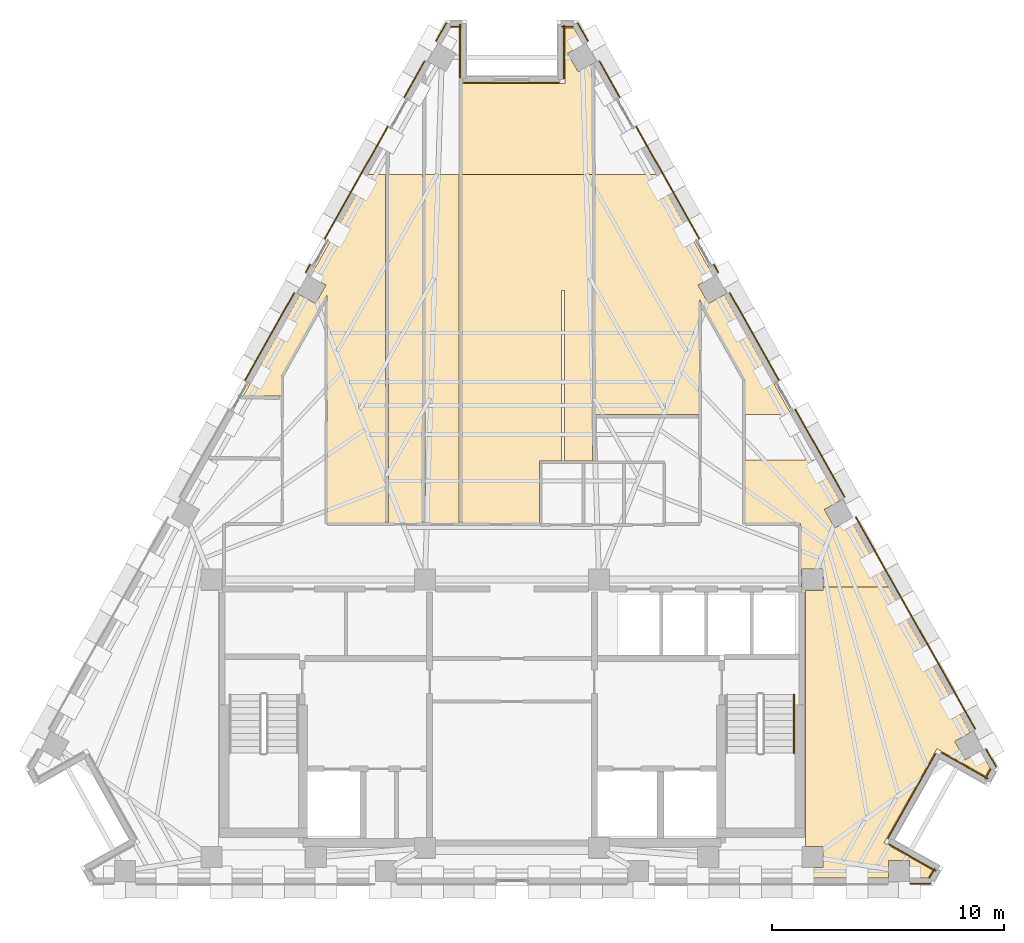
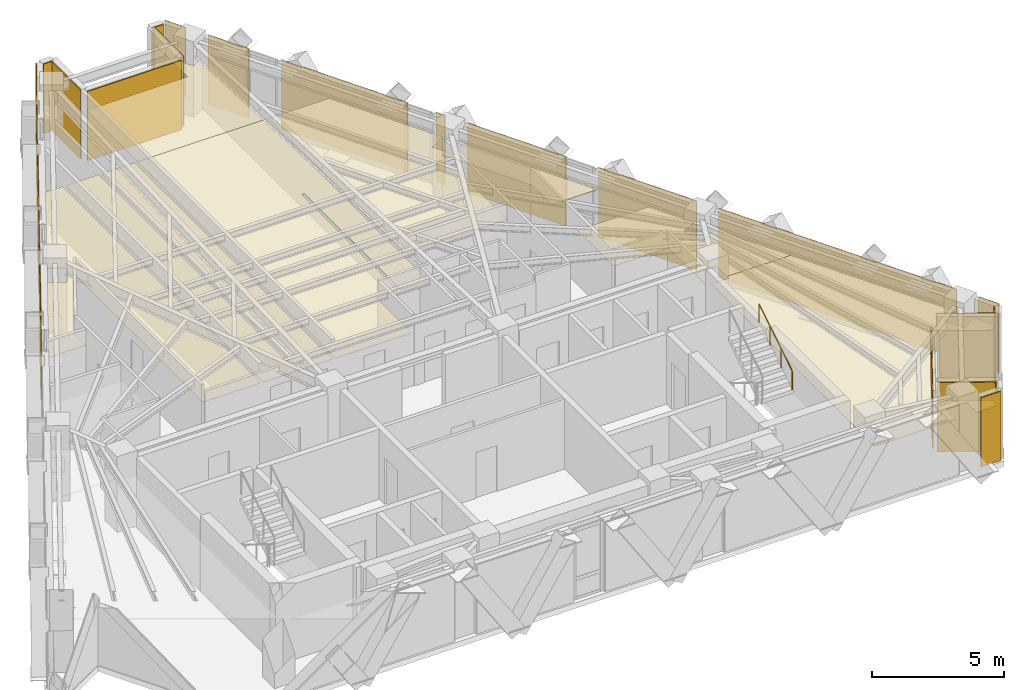
# One storey, part 12 of 12: 32 coverings, 1 railing.
"""IFC4 building model written with IfcOpenShell, lengths in metres."""

from ifc_helpers import new_model, si_unit, direction, frame, origin, origin_2d, place, context, subcontext, project, spatial, polyline, circle, outline, extrude, material, layer, layer_set, type_object, element, save


model = new_model("IFC4")

# Units and contexts
model_context = context("Model", 3, precision=1e-05, world=origin(), true_north=direction((0.0, 1.0)))
body_context = subcontext(model_context, "Body", "Model", "MODEL_VIEW")
ifc_project = project(units=[si_unit("LENGTHUNIT", "METRE"), si_unit("AREAUNIT", "SQUARE_METRE"), si_unit("VOLUMEUNIT", "CUBIC_METRE"), si_unit("PLANEANGLEUNIT", "RADIAN"), si_unit("MASSUNIT", "GRAM", prefix="KILO")], contexts=[model_context])

# Site, building, storey
site_placement = place(None, origin())
site = spatial("IfcSite", under=ifc_project, at=site_placement, CompositionType="ELEMENT")
building_placement = place(site_placement, origin())
building = spatial("IfcBuilding", under=site, at=building_placement, Name="Quenlor Broadcast Tower", CompositionType="ELEMENT")
storey_placement = place(building_placement, frame((0.0, 0.0, 190.39990234375)))
storey = spatial("IfcBuildingStorey", under=building, at=storey_placement, Name="L52", CompositionType="ELEMENT", Elevation=190.39990234375)

# Coverings
ifc_material_1 = material(Name="Acoustic Mineral Fibre Board", Category="other")
ifc_layer_1 = layer(ifc_material_1, 0.02490234375)
ifc_layer_set_1 = layer_set([ifc_layer_1], Name="Acoustic Perforated Mineral Tile Ceiling 25")
covering_type_1 = type_object("IfcCoveringType", Name="Acoustic Perforated Mineral Tile Ceiling 25", PredefinedType="CEILING", material=ifc_layer_set_1)
covering_1_placement = place(storey_placement, frame((0.0, 0.0, 2.375)))
element("IfcCovering", 1, at=covering_1_placement, inside=storey, type_object=covering_type_1, Name="L52 Acoustic Ceiling L52-23", PredefinedType="CEILING", context=body_context, shape_type="SweptSolid", body=[
    extrude(outline(polyline([(-3.742431640625, -2.3701171875), (-3.742431640625, 12.64990234375), (-2.28466796875, 12.64990234375), (-2.28466796875, -2.3701171875), (-3.742431640625, -2.3701171875)])), origin(), (0.0, 0.0, 1.0), 0.025146484375),
])
covering_2_placement = place(storey_placement, frame((0.0, 0.0, 2.375)))
element("IfcCovering", 2, at=covering_2_placement, inside=storey, type_object=covering_type_1, Name="L52 Acoustic Ceiling L52-24", PredefinedType="CEILING", context=body_context, shape_type="SweptSolid", body=[
    extrude(outline(polyline([(3.4599609375, 0.320068359375), (2.260009765625, 0.320068359375), (2.260009765625, 7.651611328125), (2.139892578125, 7.651611328125), (2.139892578125, 0.320068359375), (1.179931640625, 0.320068359375), (1.179931640625, -2.3701171875), (-2.164794921875, -2.3701171875), (-2.164794921875, 12.64990234375), (3.4599609375, 12.64990234375), (3.4599609375, 0.320068359375)])), origin(), (0.0, 0.0, 1.0), 0.025146484375),
])
covering_3_placement = place(storey_placement, frame((0.0, 0.0, 2.375)))
element("IfcCovering", 3, at=covering_3_placement, inside=storey, type_object=covering_type_1, Name="L52 Acoustic Ceiling L52-24-2", PredefinedType="CEILING", context=body_context, shape_type="SweptSolid", body=[
    extrude(outline(polyline([(3.066162109375, 18.255615234375), (2.396728515625, 17.87890625), (2.845947265625, 17.08056640625), (3.4599609375, 17.426025390625), (3.4599609375, 12.64990234375), (-2.164794921875, 12.64990234375), (-2.164794921875, 16.572021484375), (2.2861328125, 16.572021484375), (2.2861328125, 18.971923828125), (2.6630859375, 18.971923828125), (3.066162109375, 18.255615234375)])), origin(), (0.0, 0.0, 1.0), 0.025146484375),
])
covering_4_placement = place(storey_placement, frame((0.0, 0.0, 2.375)))
element("IfcCovering", 4, at=covering_4_placement, inside=storey, type_object=covering_type_1, Name="L52 Acoustic Ceiling L52-25", PredefinedType="CEILING", context=body_context, shape_type="SweptSolid", body=[
    extrude(outline(polyline([(8.070068359375, 2.322021484375), (3.580078125, 2.322021484375), (3.580078125, 12.64990234375), (6.21923828125, 12.64990234375), (8.685302734375, 8.26611328125), (8.015869140625, 7.889404296875), (8.465087890625, 7.09130859375), (9.13427734375, 7.4677734375), (10.764404296875, 4.570068359375), (12.02880859375, 2.322021484375), (10.030029296875, 2.322021484375), (10.030029296875, 3.794921875), (9.60498046875, 4.550537109375), (8.070068359375, 7.279296875), (8.070068359375, 2.322021484375)])), origin(), (0.0, 0.0, 1.0), 0.025146484375),
])
covering_5_placement = place(storey_placement, frame((0.0, 0.0, 2.375)))
element("IfcCovering", 5, at=covering_5_placement, inside=storey, type_object=covering_type_1, Name="L52 Acoustic Ceiling L52-26", PredefinedType="CEILING", context=body_context, shape_type="SweptSolid", body=[
    extrude(outline(polyline([(-3.8623046875, -2.3701171875), (-5.320068359375, -2.3701171875), (-5.320068359375, 12.64990234375), (-3.8623046875, 12.64990234375), (-3.8623046875, -2.3701171875)])), origin(), (0.0, 0.0, 1.0), 0.025146484375),
])
covering_6_placement = place(storey_placement, frame((0.0, 0.0, 2.375)))
element("IfcCovering", 6, at=covering_6_placement, inside=storey, type_object=covering_type_1, Name="L52 Acoustic Ceiling L52-27", PredefinedType="CEILING", context=body_context, shape_type="SweptSolid", body=[
    extrude(outline(polyline([(-7.969970703125, 7.45703125), (-9.929931640625, 3.97265625), (-9.929931640625, 3.110107421875), (-11.58544921875, 3.110107421875), (-9.13427734375, 7.4677734375), (-8.465087890625, 7.09130859375), (-8.015869140625, 7.889404296875), (-8.685302734375, 8.26611328125), (-6.21923828125, 12.64990234375), (-5.43994140625, 12.64990234375), (-5.43994140625, -2.3701171875), (-7.969970703125, -2.3701171875), (-7.969970703125, 7.45703125)])), origin(), (0.0, 0.0, 1.0), 0.025146484375),
])
covering_7_placement = place(storey_placement, frame((0.0, 0.0, 2.375)))
element("IfcCovering", 7, at=covering_7_placement, inside=storey, type_object=covering_type_1, Name="L52 Acoustic Ceiling L52-30-2", PredefinedType="CEILING", context=body_context, shape_type="SweptSolid", body=[
    extrude(outline(polyline([(13.407958984375, -4.342041015625), (12.491943359375, -4.342041015625), (12.491943359375, -5.1201171875), (12.43994140625, -5.1201171875), (12.43994140625, -2.3701171875), (10.030029296875, -2.3701171875), (10.030029296875, 0.36474609375), (13.129638671875, 0.36474609375), (14.123046875, -1.401123046875), (13.45361328125, -1.777587890625), (13.90283203125, -2.575927734375), (14.572021484375, -2.199462890625), (16.21484375, -5.1201171875), (13.407958984375, -5.1201171875), (13.407958984375, -4.342041015625)])), origin(), (0.0, 0.0, 1.0), 0.025146484375),
])
covering_8_placement = place(storey_placement, frame((0.0, 0.0, 2.375)))
element("IfcCovering", 8, at=covering_8_placement, inside=storey, type_object=covering_type_1, Name="L52 Acoustic Ceiling L52-30-4", PredefinedType="CEILING", context=body_context, shape_type="SweptSolid", body=[
    extrude(outline(polyline([(13.407958984375, -17.2080078125), (13.407958984375, -16.2919921875), (12.64990234375, -16.2919921875), (12.64990234375, -5.258056640625), (13.407958984375, -5.258056640625), (13.407958984375, -5.1201171875), (16.21484375, -5.1201171875), (19.7421875, -11.390625), (19.07275390625, -11.76708984375), (19.52197265625, -12.5654296875), (20.191162109375, -12.18896484375), (20.597900390625, -12.912109375), (20.400390625, -13.26318359375), (18.30859375, -12.08642578125), (16.029052734375, -16.138916015625), (18.120849609375, -17.315673828125), (17.927001953125, -17.659912109375), (17.1337890625, -17.659912109375), (17.1337890625, -16.89208984375), (16.218017578125, -16.89208984375), (16.218017578125, -17.659912109375), (12.64990234375, -17.659912109375), (12.64990234375, -17.2080078125), (13.407958984375, -17.2080078125)])), origin(), (0.0, 0.0, 1.0), 0.025146484375),
])
ifc_material_2 = material(Name="Architectural Terracotta Ceramic", Category="masonry")
ifc_layer_2 = layer(ifc_material_2, 0.044921875)
ifc_layer_set_2 = layer_set([ifc_layer_2], Name="Fluted Terracotta Rainscreen Cladding Panel")
covering_type_2 = type_object("IfcCoveringType", Name="Fluted Terracotta Rainscreen Cladding Panel", PredefinedType="CLADDING", material=ifc_layer_set_2)
covering_9_placement = place(storey_placement, frame((0.0, 0.0, 0.02001953125)))
element("IfcCovering", 9, at=covering_9_placement, inside=storey, type_object=covering_type_2, Name="L52 Terracotta Rainscreen Cladding L52-SHD-SS0", PredefinedType="CLADDING", context=body_context, shape_type="SweptSolid", body=[
    extrude(outline(polyline([(18.035888671875, -17.886962890625), (17.160888671875, -17.886962890625), (17.160888671875, -17.931884765625), (18.035888671875, -17.931884765625), (18.035888671875, -17.886962890625)])), origin(), (0.0, 0.0, 1.0), 3.2099609375),
])
covering_10_placement = place(storey_placement, frame((0.0, 0.0, 0.02001953125)))
element("IfcCovering", 10, at=covering_10_placement, inside=storey, type_object=covering_type_2, Name="L52 Terracotta Rainscreen Cladding L52-SHD-NES0", PredefinedType="CLADDING", context=body_context, shape_type="SweptSolid", body=[
    extrude(outline(polyline([(2.8076171875, 19.17822265625), (3.250732421875, 18.390380859375), (3.2900390625, 18.412353515625), (2.8466796875, 19.2001953125), (2.8076171875, 19.17822265625)])), origin(), (0.0, 0.0, 1.0), 3.2099609375),
])
covering_11_placement = place(storey_placement, frame((0.0, 0.0, 0.02001953125)))
element("IfcCovering", 11, at=covering_11_placement, inside=storey, type_object=covering_type_2, Name="L52 Terracotta Rainscreen Cladding L52-SHD-NES1", PredefinedType="CLADDING", context=body_context, shape_type="SweptSolid", body=[
    extrude(outline(polyline([(20.402099609375, -12.10107421875), (20.845458984375, -12.888916015625), (20.884521484375, -12.866943359375), (20.44140625, -12.0791015625), (20.402099609375, -12.10107421875)])), origin(), (0.0, 0.0, 1.0), 3.2099609375),
])
covering_12_placement = place(storey_placement, frame((0.0, 0.0, 0.02001953125)))
element("IfcCovering", 12, at=covering_12_placement, inside=storey, type_object=covering_type_2, Name="L52 Terracotta Rainscreen Cladding L52-NEA-SP1", PredefinedType="CLADDING", context=body_context, shape_type="SweptSolid", body=[
    extrude(outline(polyline([(3.744873046875, 17.532470703125), (4.625, 15.967529296875), (4.664306640625, 15.989501953125), (3.7841796875, 17.554443359375), (3.744873046875, 17.532470703125)])), origin(), (0.0, 0.0, 1.0), 3.2099609375),
])
covering_13_placement = place(storey_placement, frame((0.0, 0.0, 0.02001953125)))
element("IfcCovering", 13, at=covering_13_placement, inside=storey, type_object=covering_type_2, Name="L52 Terracotta Rainscreen Cladding L52-NEA-SP2", PredefinedType="CLADDING", context=body_context, shape_type="SweptSolid", body=[
    extrude(outline(polyline([(5.3291015625, 14.716064453125), (8.05419921875, 9.871337890625), (8.09326171875, 9.893310546875), (5.368408203125, 14.738037109375), (5.3291015625, 14.716064453125)])), origin(), (0.0, 0.0, 1.0), 3.2099609375),
])
covering_14_placement = place(storey_placement, frame((0.0, 0.0, 0.02001953125)))
element("IfcCovering", 14, at=covering_14_placement, inside=storey, type_object=covering_type_2, Name="L52 Terracotta Rainscreen Cladding L52-NEA-SP3", PredefinedType="CLADDING", context=body_context, shape_type="SweptSolid", body=[
    extrude(outline(polyline([(8.672607421875, 8.77197265625), (8.86865234375, 8.42333984375), (8.907958984375, 8.4453125), (8.7119140625, 8.7939453125), (8.672607421875, 8.77197265625)])), origin(), (0.0, 0.0, 1.0), 3.2099609375),
])
covering_15_placement = place(storey_placement, frame((0.0, 0.0, 0.02001953125)))
element("IfcCovering", 15, at=covering_15_placement, inside=storey, type_object=covering_type_2, Name="L52 Terracotta Rainscreen Cladding L52-EW-NEC", PredefinedType="CLADDING", context=body_context, shape_type="SweptSolid", body=[
    extrude(outline(polyline([(14.7919921875, -2.106689453125), (19.935302734375, -11.250732421875), (19.974609375, -11.228759765625), (14.831298828125, -2.084716796875), (14.7919921875, -2.106689453125)])), origin(), (0.0, 0.0, 1.0), 3.2099609375),
])
covering_16_placement = place(storey_placement, frame((0.0, 0.0, 0.02001953125)))
element("IfcCovering", 16, at=covering_16_placement, inside=storey, type_object=covering_type_2, Name="L52 Terracotta Rainscreen Cladding L52-NE-SP1", PredefinedType="CLADDING", context=body_context, shape_type="SweptSolid", body=[
    extrude(outline(polyline([(9.361328125, 7.54736328125), (11.483154296875, 3.775390625), (11.5224609375, 3.79736328125), (9.400634765625, 7.5693359375), (9.361328125, 7.54736328125)])), origin(), (0.0, 0.0, 1.0), 3.2099609375),
])
covering_17_placement = place(storey_placement, frame((0.0, 0.0, 0.02001953125)))
element("IfcCovering", 17, at=covering_17_placement, inside=storey, type_object=covering_type_2, Name="L52 Terracotta Rainscreen Cladding L52-NE-SP2", PredefinedType="CLADDING", context=body_context, shape_type="SweptSolid", body=[
    extrude(outline(polyline([(12.187255859375, 2.523681640625), (14.30908203125, -1.248291015625), (14.34814453125, -1.226318359375), (12.2265625, 2.5458984375), (12.187255859375, 2.523681640625)])), origin(), (0.0, 0.0, 1.0), 3.2099609375),
])
covering_18_placement = place(storey_placement, frame((0.0, 0.0, 0.02001953125)))
element("IfcCovering", 18, at=covering_18_placement, inside=storey, type_object=covering_type_2, Name="L52 Terracotta Rainscreen Cladding L52-SHD-NWS1", PredefinedType="CLADDING", context=body_context, shape_type="SweptSolid", body=[
    extrude(outline(polyline([(-3.250732421875, 18.390380859375), (-2.8076171875, 19.17822265625), (-2.8466796875, 19.2001953125), (-3.2900390625, 18.412353515625), (-3.250732421875, 18.390380859375)])), origin(), (0.0, 0.0, 1.0), 3.2099609375),
])
covering_19_placement = place(storey_placement, frame((0.0, 0.0, 0.02001953125)))
element("IfcCovering", 19, at=covering_19_placement, inside=storey, type_object=covering_type_2, Name="L52 Terracotta Rainscreen Cladding L52-NWC-SP1", PredefinedType="CLADDING", context=body_context, shape_type="SweptSolid", body=[
    extrude(outline(polyline([(-8.86865234375, 8.42333984375), (-8.672607421875, 8.77197265625), (-8.7119140625, 8.7939453125), (-8.907958984375, 8.4453125), (-8.86865234375, 8.42333984375)])), origin(), (0.0, 0.0, 1.0), 3.2099609375),
])
covering_20_placement = place(storey_placement, frame((0.0, 0.0, 0.02001953125)))
element("IfcCovering", 20, at=covering_20_placement, inside=storey, type_object=covering_type_2, Name="L52 Terracotta Rainscreen Cladding L52-NWC-SP2", PredefinedType="CLADDING", context=body_context, shape_type="SweptSolid", body=[
    extrude(outline(polyline([(-8.05419921875, 9.871337890625), (-5.3291015625, 14.716064453125), (-5.368408203125, 14.738037109375), (-8.09326171875, 9.893310546875), (-8.05419921875, 9.871337890625)])), origin(), (0.0, 0.0, 1.0), 3.2099609375),
])
covering_21_placement = place(storey_placement, frame((0.0, 0.0, 0.02001953125)))
element("IfcCovering", 21, at=covering_21_placement, inside=storey, type_object=covering_type_2, Name="L52 Terracotta Rainscreen Cladding L52-NWC-SP3", PredefinedType="CLADDING", context=body_context, shape_type="SweptSolid", body=[
    extrude(outline(polyline([(-4.625, 15.967529296875), (-3.744873046875, 17.532470703125), (-3.7841796875, 17.554443359375), (-4.664306640625, 15.989501953125), (-4.625, 15.967529296875)])), origin(), (0.0, 0.0, 1.0), 3.2099609375),
])
covering_22_placement = place(storey_placement, frame((0.0, 0.0, 0.02001953125)))
element("IfcCovering", 22, at=covering_22_placement, inside=storey, type_object=covering_type_2, Name="L52 Terracotta Rainscreen Cladding L52-NW-SP2", PredefinedType="CLADDING", context=body_context, shape_type="SweptSolid", body=[
    extrude(outline(polyline([(-11.483154296875, 3.775390625), (-9.361328125, 7.54736328125), (-9.400634765625, 7.5693359375), (-11.5224609375, 3.79736328125), (-11.483154296875, 3.775390625)])), origin(), (0.0, 0.0, 1.0), 3.2099609375),
])
covering_23_placement = place(storey_placement, frame((0.0, 0.0, 0.02001953125)))
element("IfcCovering", 23, at=covering_23_placement, inside=storey, type_object=covering_type_2, Name="L52 Terracotta Rainscreen Cladding L52-CNR-01", PredefinedType="CLADDING", context=body_context, shape_type="SweptSolid", body=[
    extrude(outline(polyline([(18.284912109375, -17.329833984375), (16.245361328125, -16.1826171875), (16.223388671875, -16.2216796875), (18.262939453125, -17.368896484375), (18.284912109375, -17.329833984375)])), origin(), (0.0, 0.0, 1.0), 3.2099609375),
])
covering_24_placement = place(storey_placement, frame((0.0, 0.0, 0.02001953125)))
element("IfcCovering", 24, at=covering_24_placement, inside=storey, type_object=covering_type_2, Name="L52 Terracotta Rainscreen Cladding L52-CNR-02", PredefinedType="CLADDING", context=body_context, shape_type="SweptSolid", body=[
    extrude(outline(polyline([(16.2109375, -15.954345703125), (18.264892578125, -12.302734375), (18.225830078125, -12.28076171875), (16.171630859375, -15.932373046875), (16.2109375, -15.954345703125)])), origin(), (0.0, 0.0, 1.0), 2.681884765625),
])
covering_25_placement = place(storey_placement, frame((0.0, 0.0, 0.02001953125)))
element("IfcCovering", 25, at=covering_25_placement, inside=storey, type_object=covering_type_2, Name="L52 Terracotta Rainscreen Cladding L52-CNR-03", PredefinedType="CLADDING", context=body_context, shape_type="SweptSolid", body=[
    extrude(outline(polyline([(18.493408203125, -12.268310546875), (20.497802734375, -13.39599609375), (20.52001953125, -13.356689453125), (18.515380859375, -12.22900390625), (18.493408203125, -12.268310546875)])), origin(), (0.0, 0.0, 1.0), 3.2099609375),
])
covering_26_placement = place(storey_placement, frame((0.0, 0.0, 0.02001953125)))
element("IfcCovering", 26, at=covering_26_placement, inside=storey, type_object=covering_type_2, Name="L52 Terracotta Rainscreen Cladding L52-CNR-04", PredefinedType="CLADDING", context=body_context, shape_type="SweptSolid", body=[
    extrude(outline(polyline([(20.40576171875, -13.39208984375), (20.64306640625, -12.970458984375), (20.60400390625, -12.948486328125), (20.36669921875, -13.3701171875), (20.40576171875, -13.39208984375)])), origin(), (0.0, 0.0, 1.0), 3.2099609375),
])
covering_27_placement = place(storey_placement, frame((0.0, 0.0, 0.02001953125)))
element("IfcCovering", 27, at=covering_27_placement, inside=storey, type_object=covering_type_2, Name="L52 Terracotta Rainscreen Cladding L52-CNR-06", PredefinedType="CLADDING", context=body_context, shape_type="SweptSolid", body=[
    extrude(outline(polyline([(2.62841796875, 19.0400390625), (2.13623046875, 19.0400390625), (2.13623046875, 18.9951171875), (2.62841796875, 18.9951171875), (2.62841796875, 19.0400390625)])), origin(), (0.0, 0.0, 1.0), 3.2099609375),
])
covering_28_placement = place(storey_placement, frame((0.0, 0.0, 0.02001953125)))
element("IfcCovering", 28, at=covering_28_placement, inside=storey, type_object=covering_type_2, Name="L52 Terracotta Rainscreen Cladding L52-CNR-07", PredefinedType="CLADDING", context=body_context, shape_type="SweptSolid", body=[
    extrude(outline(polyline([(2.21826171875, 19.08203125), (2.21826171875, 16.781982421875), (2.26318359375, 16.781982421875), (2.26318359375, 19.08203125), (2.21826171875, 19.08203125)])), origin(), (0.0, 0.0, 1.0), 3.2099609375),
])
covering_29_placement = place(storey_placement, frame((0.0, 0.0, 0.02001953125)))
element("IfcCovering", 29, at=covering_29_placement, inside=storey, type_object=covering_type_2, Name="L52 Terracotta Rainscreen Cladding L52-CNR-08", PredefinedType="CLADDING", context=body_context, shape_type="SweptSolid", body=[
    extrude(outline(polyline([(2.0361328125, 16.639892578125), (-2.076171875, 16.639892578125), (-2.076171875, 16.594970703125), (2.0361328125, 16.594970703125), (2.0361328125, 16.639892578125)])), origin(), (0.0, 0.0, 1.0), 3.2099609375),
])
covering_30_placement = place(storey_placement, frame((0.0, 0.0, 0.02001953125)))
element("IfcCovering", 30, at=covering_30_placement, inside=storey, type_object=covering_type_2, Name="L52 Terracotta Rainscreen Cladding L52-CNR-09", PredefinedType="CLADDING", context=body_context, shape_type="SweptSolid", body=[
    extrude(outline(polyline([(-2.21826171875, 16.822021484375), (-2.21826171875, 19.1220703125), (-2.26318359375, 19.1220703125), (-2.26318359375, 16.822021484375), (-2.21826171875, 16.822021484375)])), origin(), (0.0, 0.0, 1.0), 3.2099609375),
])
covering_31_placement = place(storey_placement, frame((0.0, 0.0, 0.02001953125)))
element("IfcCovering", 31, at=covering_31_placement, inside=storey, type_object=covering_type_2, Name="L52 Terracotta Rainscreen Cladding L52-CNR-10", PredefinedType="CLADDING", context=body_context, shape_type="SweptSolid", body=[
    extrude(outline(polyline([(-2.17626953125, 19.0400390625), (-2.62841796875, 19.0400390625), (-2.62841796875, 18.9951171875), (-2.17626953125, 18.9951171875), (-2.17626953125, 19.0400390625)])), origin(), (0.0, 0.0, 1.0), 3.2099609375),
])
covering_32_placement = place(storey_placement, frame((0.0, 0.0, 0.02001953125)))
element("IfcCovering", 32, at=covering_32_placement, inside=storey, type_object=covering_type_2, Name="L52 Terracotta Rainscreen Cladding L52-CNR-18", PredefinedType="CLADDING", context=body_context, shape_type="SweptSolid", body=[
    extrude(outline(polyline([(17.99853515625, -17.671630859375), (18.234130859375, -17.2529296875), (18.19482421875, -17.23095703125), (17.959228515625, -17.649658203125), (17.99853515625, -17.671630859375)])), origin(), (0.0, 0.0, 1.0), 3.2099609375),
])

# Railing
ifc_material_3 = material(Name="Anodised Aluminium", Category="aluminium")
railing_type = type_object("IfcRailingType", Name="Stainless Aluminium Wall Handrail 900", PredefinedType="HANDRAIL", material=ifc_material_3)
railing_placement = place(storey_placement, frame((12.14990234375, -12.27001953125, 1.925048828125)))
element("IfcRailing", 33, at=railing_placement, inside=storey, type_object=railing_type, Name="L52 ST-2 stair handrail 2", PredefinedType="HANDRAIL", context=body_context, shape_type="SweptSolid", body=[
    extrude(circle(Radius=0.02392578125, at=origin_2d()), frame((0.0, 0.0, 0.8759765625), z_axis=(0.0, 0.848007534815, 0.529984170421), x_axis=(-1.0, 0.0, 0.0)), (0.0, 0.0, 1.0), 2.9716796875),
    extrude(circle(Radius=0.02099609375, at=origin_2d()), origin(), (0.0, 0.0, 1.0), 0.851806640625),
    extrude(circle(Radius=0.02099609375, at=origin_2d()), frame((0.0, 0.840087890625, 0.52490234375)), (0.0, 0.0, 1.0), 0.851806640625),
    extrude(circle(Radius=0.02099609375, at=origin_2d()), frame((0.0, 1.679931640625, 1.050048828125)), (0.0, 0.0, 1.0), 0.851806640625),
    extrude(circle(Radius=0.02099609375, at=origin_2d()), frame((0.0, 2.52001953125, 1.574951171875)), (0.0, 0.0, 1.0), 0.851806640625),
])

save(model, "model.ifc")
